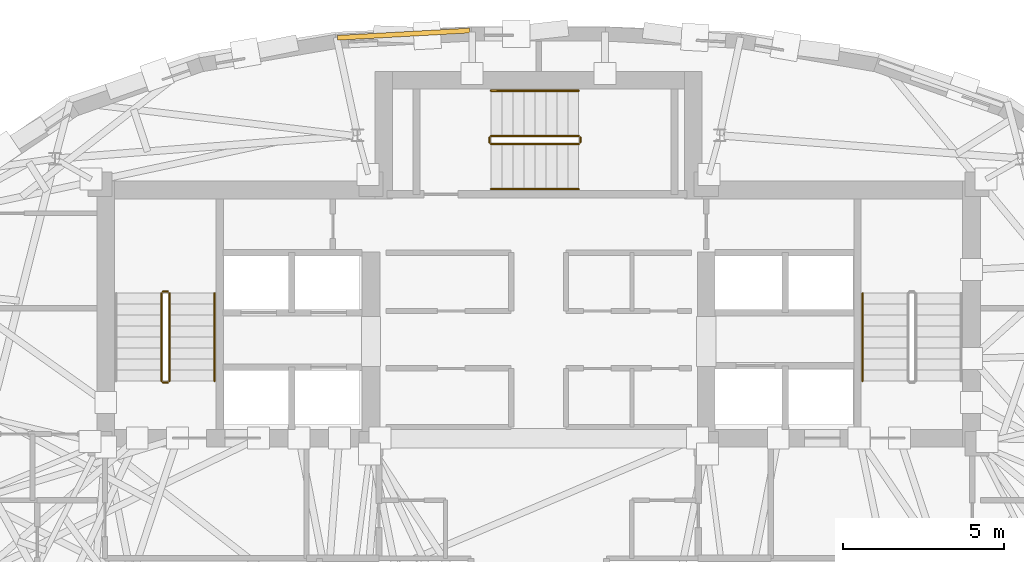
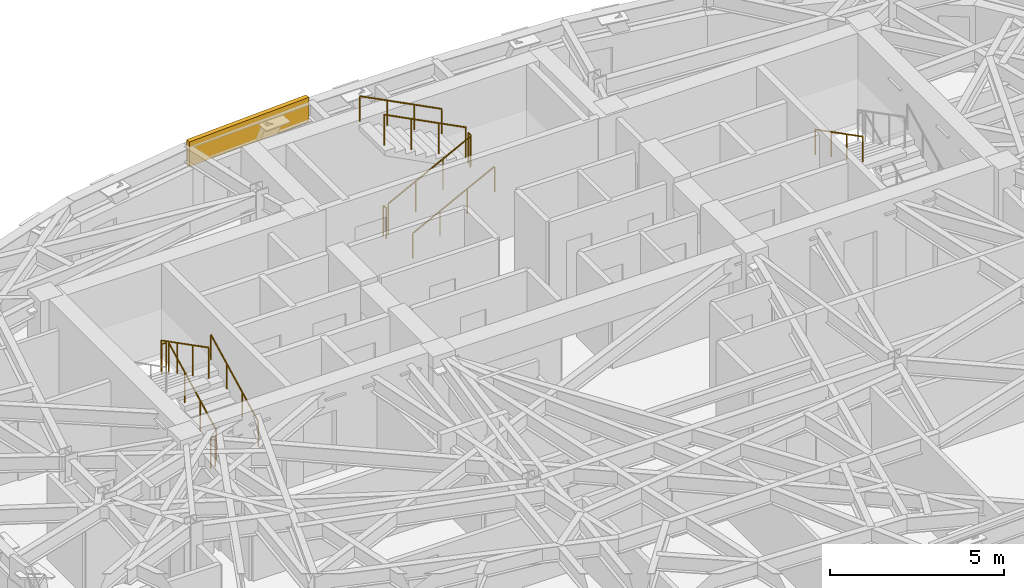
# One storey, part 11 of 12: 12 railings, 1 covering.
"""IFC4 building model written with IfcOpenShell, lengths in metres."""

from ifc_helpers import new_model, si_unit, direction, frame, origin, origin_2d, place, context, subcontext, project, spatial, rectangle, circle, extrude, material, layer, layer_set, type_object, element, save


model = new_model("IFC4")

# Units and contexts
model_context = context("Model", 3, precision=1e-05, world=origin(), true_north=direction((0.0, 1.0)))
body_context = subcontext(model_context, "Body", "Model", "MODEL_VIEW")
ifc_project = project(units=[si_unit("LENGTHUNIT", "METRE"), si_unit("AREAUNIT", "SQUARE_METRE"), si_unit("VOLUMEUNIT", "CUBIC_METRE"), si_unit("PLANEANGLEUNIT", "RADIAN"), si_unit("MASSUNIT", "GRAM", prefix="KILO")], contexts=[model_context])

# Site, building, storey
site_placement = place(None, origin())
site = spatial("IfcSite", under=ifc_project, at=site_placement, CompositionType="ELEMENT")
building_placement = place(site_placement, origin())
building = spatial("IfcBuilding", under=site, at=building_placement, Name="Keldmark Tower", CompositionType="ELEMENT")
storey_placement = place(building_placement, frame((0.0, 0.0, 247.800048828125)))
storey = spatial("IfcBuildingStorey", under=building, at=storey_placement, Name="L70", CompositionType="ELEMENT", Elevation=247.800048828125)

# Covering
ifc_material_1 = material(Name="Honed Kasota Buff Dolomitic Limestone", Category="masonry")
ifc_layer = layer(ifc_material_1, 0.074951171875)
ifc_layer_set = layer_set([ifc_layer], Name="Honed Kasota Buff Dolomitic Limestone")
covering_type = type_object("IfcCoveringType", Name="Kasota Buff Limestone Spandrel Cladding Band", PredefinedType="CLADDING", material=ifc_layer_set)
covering_placement = place(storey_placement, frame((-4.188232421875, 14.103759765625, 2.260009765625), z_axis=(0.0, 0.0, 1.0), x_axis=(-0.998488138237, -0.054967606826, 0.0)))
element("IfcCovering", 1, at=covering_placement, inside=storey, type_object=covering_type, Name="L70 Kasota Limestone Spandrel Band 09", PredefinedType="CLADDING", context=body_context, shape_type="SweptSolid", body=[
    extrude(rectangle(XDim=4.11181640625, YDim=0.14990234375, at=origin_2d()), origin(), (0.0, 0.0, 1.0), 0.8701171875),
])

# Railings
ifc_material_2 = material(Name="Painted Steel ASTM A500 Grade B", Category="steel")
railing_type_1 = type_object("IfcRailingType", Name="Painted Steel Stair Well Guard 1100 mm", PredefinedType="GUARDRAIL", material=ifc_material_2)
railing_1_placement = place(storey_placement, frame((-11.449951171875, 3.35009765625, 0.175048828125)))
element("IfcRailing", 2, at=railing_1_placement, inside=storey, type_object=railing_type_1, Name="L70 ST1 stair guard 1", PredefinedType="GUARDRAIL", context=body_context, shape_type="SweptSolid", body=[
    extrude(circle(Radius=0.02392578125, at=origin_2d()), frame((0.0, 0.0, 1.076171875), z_axis=(0.0, 0.889146794209, 0.457622091194), x_axis=(-1.0, 0.0, 0.0)), (0.0, 0.0, 1.0), 3.05908203125),
    extrude(circle(Radius=0.02099609375, at=origin_2d()), origin(), (0.0, 0.0, 1.0), 1.052001953125),
    extrude(circle(Radius=0.02099609375, at=origin_2d()), frame((0.0, 0.90673828125, 0.466552734375)), (0.0, 0.0, 1.0), 1.052001953125),
    extrude(circle(Radius=0.02099609375, at=origin_2d()), frame((0.0, 1.813232421875, 0.933349609375)), (0.0, 0.0, 1.0), 1.052001953125),
    extrude(circle(Radius=0.02099609375, at=origin_2d()), frame((0.0, 2.719970703125, 1.39990234375)), (0.0, 0.0, 1.0), 1.052001953125),
])
railing_2_placement = place(storey_placement, frame((-11.5, 6.1201171875, 1.574951171875)))
element("IfcRailing", 3, at=railing_2_placement, inside=storey, type_object=railing_type_1, Name="L70 ST1 stair guard 2", PredefinedType="GUARDRAIL", context=body_context, shape_type="SweptSolid", body=[
    extrude(circle(Radius=0.02392578125, at=origin_2d()), frame((0.0, 0.0, 1.076171875), z_axis=(-1.0, 0.0, 0.0), x_axis=(0.0, -1.0, 0.0)), (0.0, 0.0, 1.0), 0.14990234375),
    extrude(circle(Radius=0.02099609375, at=origin_2d()), origin(), (0.0, 0.0, 1.0), 1.052001953125),
    extrude(circle(Radius=0.02099609375, at=origin_2d()), frame((-0.14990234375, 0.0, 0.0)), (0.0, 0.0, 1.0), 1.052001953125),
])
railing_3_placement = place(storey_placement, frame((-11.699951171875, 6.070068359375, 1.75)))
element("IfcRailing", 4, at=railing_3_placement, inside=storey, type_object=railing_type_1, Name="L70 ST1 stair guard 3", PredefinedType="GUARDRAIL", context=body_context, shape_type="SweptSolid", body=[
    extrude(circle(Radius=0.02392578125, at=origin_2d()), frame((0.0, 0.0, 1.076171875), z_axis=(0.0, -0.889146794209, 0.457622091194), x_axis=(1.0, 0.0, 0.0)), (0.0, 0.0, 1.0), 3.05908203125),
    extrude(circle(Radius=0.02099609375, at=origin_2d()), origin(), (0.0, 0.0, 1.0), 1.052001953125),
    extrude(circle(Radius=0.02099609375, at=origin_2d()), frame((0.0, -0.90673828125, 0.466552734375)), (0.0, 0.0, 1.0), 1.052001953125),
    extrude(circle(Radius=0.02099609375, at=origin_2d()), frame((0.0, -1.813232421875, 0.933349609375)), (0.0, 0.0, 1.0), 1.052001953125),
    extrude(circle(Radius=0.02099609375, at=origin_2d()), frame((0.0, -2.719970703125, 1.39990234375)), (0.0, 0.0, 1.0), 1.052001953125),
])
railing_4_placement = place(storey_placement, frame((-11.5, 3.300048828125, 0.0)))
element("IfcRailing", 5, at=railing_4_placement, inside=storey, type_object=railing_type_1, Name="L70 ST1 stair guard 4", PredefinedType="GUARDRAIL", context=body_context, shape_type="SweptSolid", body=[
    extrude(circle(Radius=0.02392578125, at=origin_2d()), frame((0.0, 0.0, 1.076171875), z_axis=(-1.0, 0.0, 0.0), x_axis=(0.0, -1.0, 0.0)), (0.0, 0.0, 1.0), 0.14990234375),
    extrude(circle(Radius=0.02099609375, at=origin_2d()), origin(), (0.0, 0.0, 1.0), 1.052001953125),
    extrude(circle(Radius=0.02099609375, at=origin_2d()), frame((-0.14990234375, 0.0, 0.0)), (0.0, 0.0, 1.0), 1.052001953125),
])
railing_5_placement = place(storey_placement, frame((-1.47509765625, 10.699951171875, 0.175048828125)))
element("IfcRailing", 6, at=railing_5_placement, inside=storey, type_object=railing_type_1, Name="L70 ST3 stair guard 1", PredefinedType="GUARDRAIL", context=body_context, shape_type="SweptSolid", body=[
    extrude(circle(Radius=0.02392578125, at=origin_2d()), frame((0.0, 0.0, 1.076171875), z_axis=(0.88916350577, 0.0, 0.457589619645), x_axis=(0.0, 1.0, 0.0)), (0.0, 0.0, 1.0), 3.059326171875),
    extrude(circle(Radius=0.02099609375, at=origin_2d()), origin(), (0.0, 0.0, 1.0), 1.052001953125),
    extrude(circle(Radius=0.02099609375, at=origin_2d()), frame((0.90673828125, 0.0, 0.466552734375)), (0.0, 0.0, 1.0), 1.052001953125),
    extrude(circle(Radius=0.02099609375, at=origin_2d()), frame((1.8134765625, 0.0, 0.933349609375)), (0.0, 0.0, 1.0), 1.052001953125),
    extrude(circle(Radius=0.02099609375, at=origin_2d()), frame((2.72021484375, 0.0, 1.39990234375)), (0.0, 0.0, 1.0), 1.052001953125),
])
railing_6_placement = place(storey_placement, frame((1.294921875, 10.75, 1.574951171875)))
element("IfcRailing", 7, at=railing_6_placement, inside=storey, type_object=railing_type_1, Name="L70 ST3 stair guard 2", PredefinedType="GUARDRAIL", context=body_context, shape_type="SweptSolid", body=[
    extrude(circle(Radius=0.02392578125, at=origin_2d()), frame((0.0, 0.0, 1.076171875), z_axis=(0.0, 1.0, 0.0), x_axis=(-1.0, 0.0, 0.0)), (0.0, 0.0, 1.0), 0.14990234375),
    extrude(circle(Radius=0.02099609375, at=origin_2d()), origin(), (0.0, 0.0, 1.0), 1.052001953125),
    extrude(circle(Radius=0.02099609375, at=origin_2d()), frame((0.0, 0.14990234375, 0.0)), (0.0, 0.0, 1.0), 1.052001953125),
])
railing_7_placement = place(storey_placement, frame((1.2451171875, 10.949951171875, 1.75)))
element("IfcRailing", 8, at=railing_7_placement, inside=storey, type_object=railing_type_1, Name="L70 ST3 stair guard 3", PredefinedType="GUARDRAIL", context=body_context, shape_type="SweptSolid", body=[
    extrude(circle(Radius=0.02392578125, at=origin_2d()), frame((0.0, 0.0, 1.076171875), z_axis=(-0.88916350577, 0.0, 0.457589619645), x_axis=(0.0, -1.0, 0.0)), (0.0, 0.0, 1.0), 3.059326171875),
    extrude(circle(Radius=0.02099609375, at=origin_2d()), origin(), (0.0, 0.0, 1.0), 1.052001953125),
    extrude(circle(Radius=0.02099609375, at=origin_2d()), frame((-0.90673828125, 0.0, 0.466552734375)), (0.0, 0.0, 1.0), 1.052001953125),
    extrude(circle(Radius=0.02099609375, at=origin_2d()), frame((-1.8134765625, 0.0, 0.933349609375)), (0.0, 0.0, 1.0), 1.052001953125),
    extrude(circle(Radius=0.02099609375, at=origin_2d()), frame((-2.72021484375, 0.0, 1.39990234375)), (0.0, 0.0, 1.0), 1.052001953125),
])
railing_8_placement = place(storey_placement, frame((-1.52490234375, 10.75, 0.0)))
element("IfcRailing", 9, at=railing_8_placement, inside=storey, type_object=railing_type_1, Name="L70 ST3 stair guard 4", PredefinedType="GUARDRAIL", context=body_context, shape_type="SweptSolid", body=[
    extrude(circle(Radius=0.02392578125, at=origin_2d()), frame((0.0, 0.0, 1.076171875), z_axis=(0.0, 1.0, 0.0), x_axis=(-1.0, 0.0, 0.0)), (0.0, 0.0, 1.0), 0.14990234375),
    extrude(circle(Radius=0.02099609375, at=origin_2d()), origin(), (0.0, 0.0, 1.0), 1.052001953125),
    extrude(circle(Radius=0.02099609375, at=origin_2d()), frame((0.0, 0.14990234375, 0.0)), (0.0, 0.0, 1.0), 1.052001953125),
])
ifc_material_3 = material(Name="Stainless Steel AISI 316L", Category="steel")
railing_type_2 = type_object("IfcRailingType", Name="Stainless Steel Stair Handrail 900 mm", PredefinedType="HANDRAIL", material=ifc_material_3)
railing_9_placement = place(storey_placement, frame((-10.050048828125, 3.35009765625, 0.175048828125)))
element("IfcRailing", 10, at=railing_9_placement, inside=storey, type_object=railing_type_2, Name="L70 ST1 stair handrail 1", PredefinedType="HANDRAIL", context=body_context, shape_type="SweptSolid", body=[
    extrude(circle(Radius=0.02392578125, at=origin_2d()), frame((0.0, 0.0, 0.8759765625), z_axis=(0.0, 0.889146794209, 0.457622091194), x_axis=(-1.0, 0.0, 0.0)), (0.0, 0.0, 1.0), 3.05908203125),
    extrude(circle(Radius=0.02099609375, at=origin_2d()), origin(), (0.0, 0.0, 1.0), 0.851806640625),
    extrude(circle(Radius=0.02099609375, at=origin_2d()), frame((0.0, 0.90673828125, 0.466552734375)), (0.0, 0.0, 1.0), 0.851806640625),
    extrude(circle(Radius=0.02099609375, at=origin_2d()), frame((0.0, 1.813232421875, 0.933349609375)), (0.0, 0.0, 1.0), 0.851806640625),
    extrude(circle(Radius=0.02099609375, at=origin_2d()), frame((0.0, 2.719970703125, 1.39990234375)), (0.0, 0.0, 1.0), 0.851806640625),
])
railing_10_placement = place(storey_placement, frame((10.050048828125, 6.070068359375, 1.75)))
element("IfcRailing", 11, at=railing_10_placement, inside=storey, type_object=railing_type_2, Name="L70 ST2 stair handrail 2", PredefinedType="HANDRAIL", context=body_context, shape_type="SweptSolid", body=[
    extrude(circle(Radius=0.02392578125, at=origin_2d()), frame((0.0, 0.0, 0.8759765625), z_axis=(0.0, -0.889146794209, 0.457622091194), x_axis=(1.0, 0.0, 0.0)), (0.0, 0.0, 1.0), 3.05908203125),
    extrude(circle(Radius=0.02099609375, at=origin_2d()), origin(), (0.0, 0.0, 1.0), 0.851806640625),
    extrude(circle(Radius=0.02099609375, at=origin_2d()), frame((0.0, -0.90673828125, 0.466552734375)), (0.0, 0.0, 1.0), 0.851806640625),
    extrude(circle(Radius=0.02099609375, at=origin_2d()), frame((0.0, -1.813232421875, 0.933349609375)), (0.0, 0.0, 1.0), 0.851806640625),
    extrude(circle(Radius=0.02099609375, at=origin_2d()), frame((0.0, -2.719970703125, 1.39990234375)), (0.0, 0.0, 1.0), 0.851806640625),
])
railing_11_placement = place(storey_placement, frame((-1.47509765625, 9.300048828125, 0.175048828125)))
element("IfcRailing", 12, at=railing_11_placement, inside=storey, type_object=railing_type_2, Name="L70 ST3 stair handrail 1", PredefinedType="HANDRAIL", context=body_context, shape_type="SweptSolid", body=[
    extrude(circle(Radius=0.02392578125, at=origin_2d()), frame((0.0, 0.0, 0.8759765625), z_axis=(0.88916350577, 0.0, 0.457589619645), x_axis=(0.0, 1.0, 0.0)), (0.0, 0.0, 1.0), 3.059326171875),
    extrude(circle(Radius=0.02099609375, at=origin_2d()), origin(), (0.0, 0.0, 1.0), 0.851806640625),
    extrude(circle(Radius=0.02099609375, at=origin_2d()), frame((0.90673828125, 0.0, 0.466552734375)), (0.0, 0.0, 1.0), 0.851806640625),
    extrude(circle(Radius=0.02099609375, at=origin_2d()), frame((1.8134765625, 0.0, 0.933349609375)), (0.0, 0.0, 1.0), 0.851806640625),
    extrude(circle(Radius=0.02099609375, at=origin_2d()), frame((2.72021484375, 0.0, 1.39990234375)), (0.0, 0.0, 1.0), 0.851806640625),
])
railing_12_placement = place(storey_placement, frame((1.2451171875, 12.35009765625, 1.75)))
element("IfcRailing", 13, at=railing_12_placement, inside=storey, type_object=railing_type_2, Name="L70 ST3 stair handrail 2", PredefinedType="HANDRAIL", context=body_context, shape_type="SweptSolid", body=[
    extrude(circle(Radius=0.02392578125, at=origin_2d()), frame((0.0, 0.0, 0.8759765625), z_axis=(-0.88916350577, 0.0, 0.457589619645), x_axis=(0.0, -1.0, 0.0)), (0.0, 0.0, 1.0), 3.059326171875),
    extrude(circle(Radius=0.02099609375, at=origin_2d()), origin(), (0.0, 0.0, 1.0), 0.851806640625),
    extrude(circle(Radius=0.02099609375, at=origin_2d()), frame((-0.90673828125, 0.0, 0.466552734375)), (0.0, 0.0, 1.0), 0.851806640625),
    extrude(circle(Radius=0.02099609375, at=origin_2d()), frame((-1.8134765625, 0.0, 0.933349609375)), (0.0, 0.0, 1.0), 0.851806640625),
    extrude(circle(Radius=0.02099609375, at=origin_2d()), frame((-2.72021484375, 0.0, 1.39990234375)), (0.0, 0.0, 1.0), 0.851806640625),
])

save(model, "model.ifc")
